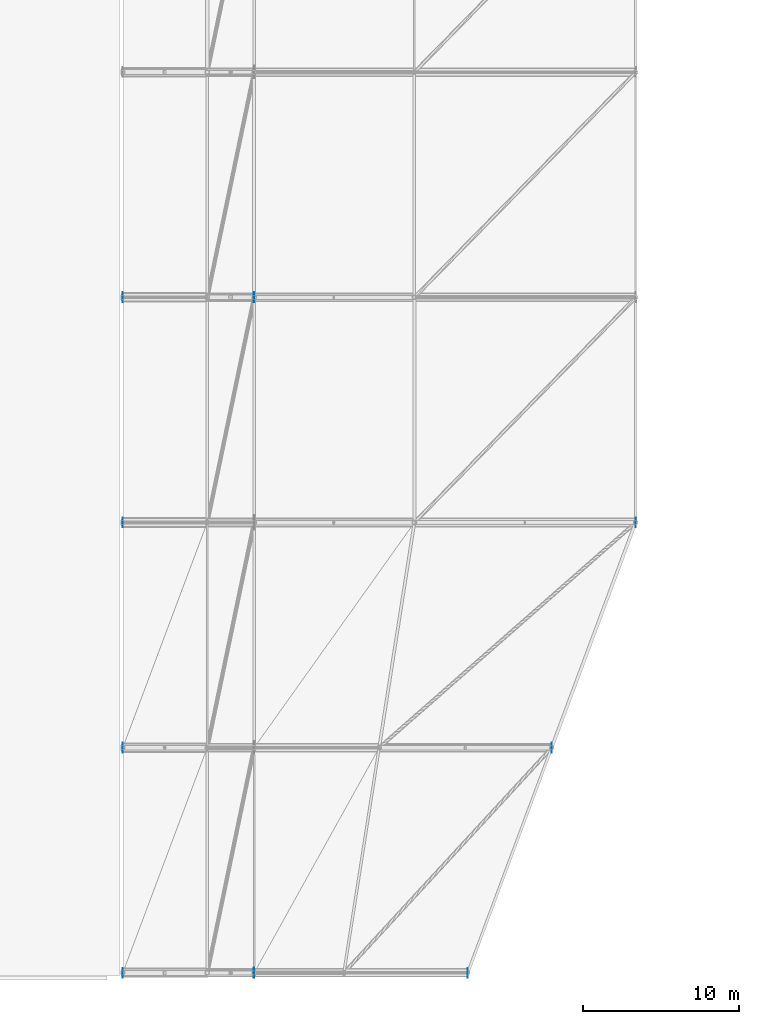
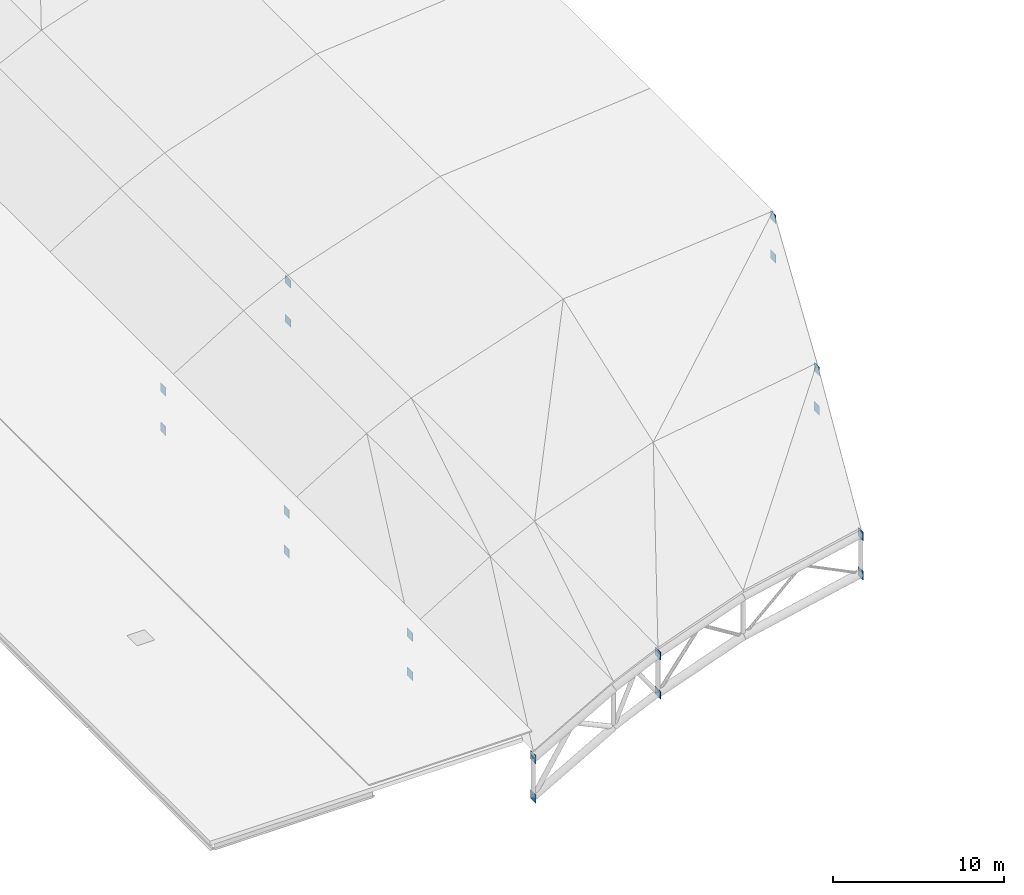
# One storey, part 30 of 36: 18 plates.
"""IFC4 building model written with IfcOpenShell, lengths in metres."""

from ifc_helpers import new_model, si_unit, direction, frame, origin, origin_2d, place, context, subcontext, project, spatial, rectangle, extrude, material, layer, layer_set, type_object, element, save


model = new_model("IFC4")

# Units and contexts
model_context = context("Model", 3, precision=1e-05, world=origin(), true_north=direction((0.0, 1.0)))
body_context = subcontext(model_context, "Body", "Model", "MODEL_VIEW")
ifc_project = project(units=[si_unit("LENGTHUNIT", "METRE"), si_unit("AREAUNIT", "SQUARE_METRE"), si_unit("VOLUMEUNIT", "CUBIC_METRE"), si_unit("PLANEANGLEUNIT", "RADIAN"), si_unit("MASSUNIT", "GRAM", prefix="KILO")], contexts=[model_context])

# Site, building, storey
site_placement = place(None, origin())
site = spatial("IfcSite", under=ifc_project, at=site_placement, CompositionType="ELEMENT")
building_placement = place(site_placement, origin())
building = spatial("IfcBuilding", under=site, at=building_placement, Name="Koshinbarg Plaza Stadium", CompositionType="ELEMENT")
storey_placement = place(building_placement, frame((0.0, 0.0, 34.199951171875)))
storey = spatial("IfcBuildingStorey", under=building, at=storey_placement, Name="RF", CompositionType="ELEMENT", Elevation=34.199951171875)

# Plates
ifc_material = material(Name="Steel S355", Category="steel")
ifc_layer_1 = layer(ifc_material, 0.02490234375)
ifc_layer_set_1 = layer_set([ifc_layer_1], Name="Steel S355")
plate_type_1 = type_object("IfcPlateType", Name="PLT-GUS-01", PredefinedType="USERDEFINED", material=ifc_layer_set_1)
for number, where, z_axis, x_axis, name in (
    (1, (54.60009765625, 25.5, 2.17138671875), (0.0, 0.0, 1.0), (1.0, 0.0, 0.0), "Roof truss node cap plate KN-03 WRB-01-3T"),
    (2, (54.60009765625, 25.5, -0.62841796875), (0.0, 0.0, 1.0), (1.0, 0.0, 0.0), "Roof truss node cap plate KN-03 WRB-01-3B"),
    (3, (54.60009765625, 68.699951171875, 2.48486328125), (0.0, 0.0, 1.0), (1.0, 0.0, 0.0), "Roof truss node cap plate KN-03 WRB-04-3T"),
    (4, (54.60009765625, 68.699951171875, -0.31494140625), (0.0, 0.0, 1.0), (1.0, 0.0, 0.0), "Roof truss node cap plate KN-03 WRB-04-3B"),
):
    element("IfcPlate", number, at=place(storey_placement, frame(where, z_axis=z_axis, x_axis=x_axis)), inside=storey, type_object=plate_type_1, Name=name, ObjectType="GUSSET_PLATE", PredefinedType="USERDEFINED", context=body_context, shape_type="SweptSolid", body=[
        extrude(rectangle(XDim=0.02490234375, YDim=0.64990234375, at=origin_2d()), origin(), (0.0, 0.0, 1.0), 0.550048828125),
    ])
ifc_layer_2 = layer(ifc_material, 0.02001953125)
ifc_layer_set_2 = layer_set([ifc_layer_2], Name="Steel S355")
plate_type_2 = type_object("IfcPlateType", Name="PLT-GUS-04", PredefinedType="USERDEFINED", material=ifc_layer_set_2)
for number, where, z_axis, x_axis, name in (
    (5, (46.199951171875, 25.5, -2.31005859375), (0.0, 0.0, 1.0), (1.0, 0.0, 0.0), "Roof truss node cap plate KN-01 WRB-01-1T"),
    (6, (46.199951171875, 25.5, -5.110107421875), (0.0, 0.0, 1.0), (1.0, 0.0, 0.0), "Roof truss node cap plate KN-01 WRB-01-1B"),
    (7, (68.263916015625, 25.5, 5.876953125), (0.0, 0.0, 1.0), (1.0, 0.0, 0.0), "Roof truss node cap plate KN-02 WRB-01-5T"),
    (8, (68.263916015625, 25.5, 3.076904296875), (0.0, 0.0, 1.0), (1.0, 0.0, 0.0), "Roof truss node cap plate KN-02 WRB-01-5B"),
    (9, (46.199951171875, 39.89990234375, -2.31005859375), (0.0, 0.0, 1.0), (1.0, 0.0, 0.0), "Roof truss node cap plate KN-01 WRB-02-1T"),
    (10, (46.199951171875, 39.89990234375, -5.110107421875), (0.0, 0.0, 1.0), (1.0, 0.0, 0.0), "Roof truss node cap plate KN-01 WRB-02-1B"),
    (11, (73.632080078125, 39.89990234375, 7.00927734375), (0.0, 0.0, 1.0), (1.0, 0.0, 0.0), "Roof truss node cap plate KN-02 WRB-02-5T"),
    (12, (73.632080078125, 39.89990234375, 4.209228515625), (0.0, 0.0, 1.0), (1.0, 0.0, 0.0), "Roof truss node cap plate KN-02 WRB-02-5B"),
    (13, (46.199951171875, 54.300048828125, -2.31005859375), (0.0, 0.0, 1.0), (1.0, 0.0, 0.0), "Roof truss node cap plate KN-01 WRB-03-1T"),
    (14, (46.199951171875, 54.300048828125, -5.110107421875), (0.0, 0.0, 1.0), (1.0, 0.0, 0.0), "Roof truss node cap plate KN-01 WRB-03-1B"),
    (15, (79.0, 54.300048828125, 7.236328125), (0.0, 0.0, 1.0), (1.0, 0.0, 0.0), "Roof truss node cap plate KN-02 WRB-03-5T"),
    (16, (79.0, 54.300048828125, 4.436279296875), (0.0, 0.0, 1.0), (1.0, 0.0, 0.0), "Roof truss node cap plate KN-02 WRB-03-5B"),
    (17, (46.199951171875, 68.699951171875, -2.31005859375), (0.0, 0.0, 1.0), (1.0, 0.0, 0.0), "Roof truss node cap plate KN-01 WRB-04-1T"),
    (18, (46.199951171875, 68.699951171875, -5.110107421875), (0.0, 0.0, 1.0), (1.0, 0.0, 0.0), "Roof truss node cap plate KN-01 WRB-04-1B"),
):
    element("IfcPlate", number, at=place(storey_placement, frame(where, z_axis=z_axis, x_axis=x_axis)), inside=storey, type_object=plate_type_2, Name=name, ObjectType="GUSSET_PLATE", PredefinedType="USERDEFINED", context=body_context, shape_type="SweptSolid", body=[
        extrude(rectangle(XDim=0.02001953125, YDim=0.6201171875, at=origin_2d()), origin(), (0.0, 0.0, 1.0), 0.6201171875),
    ])

save(model, "model.ifc")
